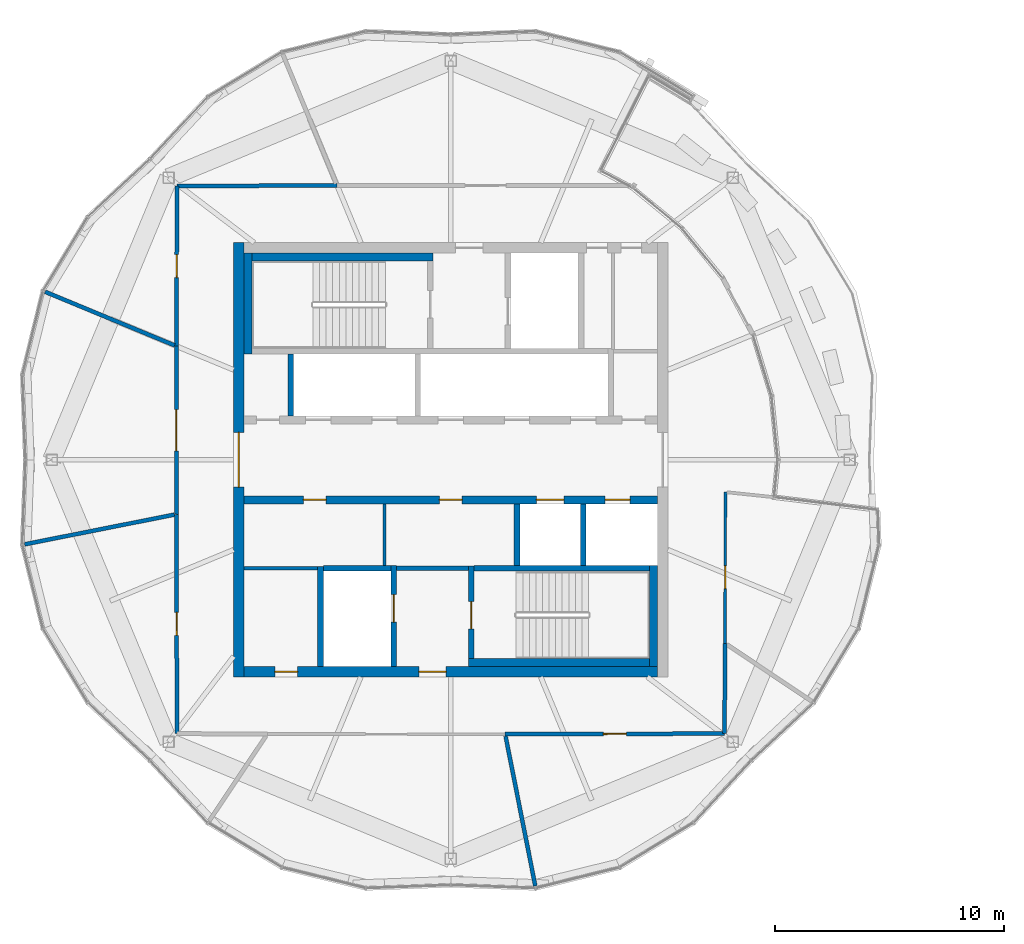
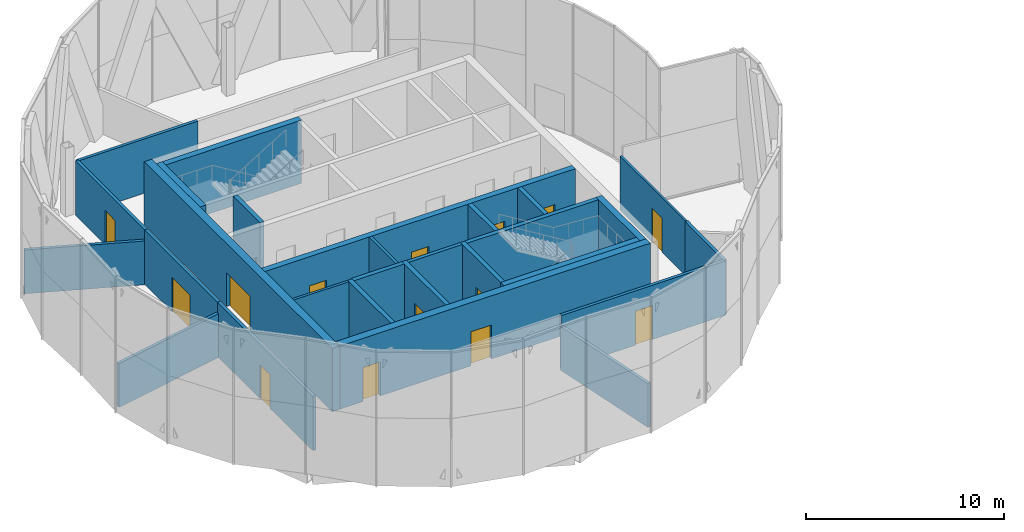
# One storey, part 16 of 24: 28 walls, 14 doors, 14 openings.
"""IFC4 building model written with IfcOpenShell, lengths in metres."""

from ifc_helpers import new_model, si_unit, direction, frame, frame_2d, origin, place, context, subcontext, project, spatial, rectangle, extrude, material, layer, layer_set, type_object, element, fill, save


model = new_model("IFC4")

# Units and contexts
model_context = context("Model", 3, precision=1e-05, world=origin(), true_north=direction((0.0, 1.0)))
body_context = subcontext(model_context, "Body", "Model", "MODEL_VIEW")
ifc_project = project(units=[si_unit("LENGTHUNIT", "METRE"), si_unit("AREAUNIT", "SQUARE_METRE"), si_unit("VOLUMEUNIT", "CUBIC_METRE"), si_unit("PLANEANGLEUNIT", "RADIAN"), si_unit("MASSUNIT", "GRAM", prefix="KILO")], contexts=[model_context])

# Site, building, storey
site_placement = place(None, origin())
site = spatial("IfcSite", under=ifc_project, at=site_placement, CompositionType="ELEMENT")
building_placement = place(site_placement, origin())
building = spatial("IfcBuilding", under=site, at=building_placement, Name="Ogive Gate Towers", CompositionType="ELEMENT")
storey_placement = place(building_placement, frame((0.0, 0.0, 277.199951171875)))
storey = spatial("IfcBuildingStorey", under=building, at=storey_placement, Name="L65", CompositionType="ELEMENT", Elevation=277.199951171875)

# Walls
ifc_material_1 = material(Name="Gypsum board acoustic partition")
ifc_layer_1 = layer(ifc_material_1, 0.175048828125)
ifc_layer_set_1 = layer_set([ifc_layer_1], Name="Acoustic partition 175")
wall_type_1 = type_object("IfcWallType", Name="Acoustic partition 175", PredefinedType="PARTITIONING", material=ifc_layer_set_1)
wall_1_placement = place(storey_placement, frame((-53.747802734375, 7.351318359375, 0.0), z_axis=(0.0, 0.0, 1.0), x_axis=(0.923879494329, -0.382683524544, 0.0)))
element("IfcWall", 1, at=wall_1_placement, inside=storey, type_object=wall_type_1, Name="Partition T1-L65-003", PredefinedType="PARTITIONING", context=body_context, shape_type="SweptSolid", body=[
    extrude(rectangle(XDim=6.131591796875, YDim=0.175048828125, at=frame_2d((3.06591796875, 0.0))), origin(), (0.0, 0.0, 1.0), 2.699951171875),
])
for number, where, z_axis, x_axis, name in (
    (2, (-54.64599609375, -3.69921875, 0.0), (0.0, 0.0, 1.0), (0.980887249702, 0.19457698572, 0.0), "Partition T1-L65-004"),
    (3, (-32.30078125, -18.64599609375, 0.0), (0.0, 0.0, 1.0), (-0.19457698572, 0.980887249702, 0.0), "Partition T1-L65-006"),
):
    element("IfcWall", number, at=place(storey_placement, frame(where, z_axis=z_axis, x_axis=x_axis)), inside=storey, type_object=wall_type_1, Name=name, PredefinedType="PARTITIONING", context=body_context, shape_type="SweptSolid", body=[
        extrude(rectangle(XDim=6.681396484375, YDim=0.175048828125, at=frame_2d((3.3408203125, 0.0))), origin(), (0.0, 0.0, 1.0), 2.699951171875),
    ])

# Wall, opening, door
wall_2_placement = place(storey_placement, frame((-24.02001953125, -11.97998046875, 0.0), z_axis=(0.0, 0.0, 1.0), x_axis=(-0.999996156312, -0.002772609087, 0.0)))
wall_2 = element("IfcWall", 4, at=wall_2_placement, inside=storey, type_object=wall_type_1, Name="Partition T1-L65-010", PredefinedType="PARTITIONING", context=body_context, shape_type="SweptSolid", body=[
    extrude(rectangle(XDim=9.597900390625, YDim=0.175048828125, at=frame_2d((4.798828125, 0.0))), origin(), (0.0, 0.0, 1.0), 3.35009765625),
])
opening_1_placement = place(wall_2_placement, frame((4.299072265625, 0.0, 0.0)))
opening_1 = element("IfcOpeningElement", 5, at=opening_1_placement, cuts=wall_2, Name="Opening T1-L65-D02", PredefinedType="OPENING", context=body_context, shape_type="SweptSolid", body=[
    extrude(rectangle(XDim=1.0, YDim=2.10009765625, at=frame_2d((0.5, 1.050048828125))), frame((0.0, 0.09765625, 0.0), z_axis=(0.0, -1.0, 0.0), x_axis=(1.0, 0.0, 0.0)), (0.0, 0.0, 1.0), 0.195068359375),
])
ifc_material_2 = material(Name="Timber door", Category="wood")
door_type_1 = type_object("IfcDoorType", Name="Door 1000", OperationType="NOTDEFINED", PredefinedType="DOOR", material=ifc_material_2)
door_1_placement = place(opening_1_placement, origin())
door_1 = element("IfcDoor", 6, at=door_1_placement, inside=storey, type_object=door_type_1, Name="Door T1-L65-D02", OperationType="SINGLE_SWING_RIGHT", OverallHeight=2.10009765625, OverallWidth=1.0, PredefinedType="DOOR", context=body_context, shape_type="SweptSolid", body=[
    extrude(rectangle(XDim=1.0, YDim=2.10009765625, at=frame_2d((0.5, 1.050048828125))), frame((0.0, 0.02490234375, 0.0), z_axis=(0.0, -1.0, 0.0), x_axis=(1.0, 0.0, 0.0)), (0.0, 0.0, 1.0), 0.050048828125),
])
fill(opening_1, door_1)

# Wall
wall_3_placement = place(storey_placement, frame((-23.9970703125, -8.02880859375, 0.0), z_axis=(0.0, 0.0, 1.0), x_axis=(-0.005808107667, -0.9999831328, 0.0)))
element("IfcWall", 7, at=wall_3_placement, inside=storey, type_object=wall_type_1, Name="Partition T1-L65-011", PredefinedType="PARTITIONING", context=body_context, shape_type="SweptSolid", body=[
    extrude(rectangle(XDim=3.951171875, YDim=0.175048828125, at=frame_2d((1.9755859375, 0.0))), origin(), (0.0, 0.0, 1.0), 3.35009765625),
])

# Wall, opening, door
wall_4_placement = place(storey_placement, frame((-47.97998046875, -11.97998046875, 0.0), z_axis=(0.0, 0.0, 1.0), x_axis=(-0.002772609087, 0.999996156312, 0.0)))
wall_4 = element("IfcWall", 8, at=wall_4_placement, inside=storey, type_object=wall_type_1, Name="Partition T1-L65-013", PredefinedType="PARTITIONING", context=body_context, shape_type="SweptSolid", body=[
    extrude(rectangle(XDim=9.597900390625, YDim=0.175048828125, at=frame_2d((4.798828125, 0.0))), origin(), (0.0, 0.0, 1.0), 3.35009765625),
])
opening_2_placement = place(wall_4_placement, frame((4.299072265625, 0.0, 0.0)))
opening_2 = element("IfcOpeningElement", 9, at=opening_2_placement, cuts=wall_4, Name="Opening T1-L65-D04", PredefinedType="OPENING", context=body_context, shape_type="SweptSolid", body=[
    extrude(rectangle(XDim=1.0, YDim=2.10009765625, at=frame_2d((0.5, 1.050048828125))), frame((0.0, 0.09765625, 0.0), z_axis=(0.0, -1.0, 0.0), x_axis=(1.0, 0.0, 0.0)), (0.0, 0.0, 1.0), 0.195068359375),
])
door_2_placement = place(opening_2_placement, origin())
door_2 = element("IfcDoor", 10, at=door_2_placement, inside=storey, type_object=door_type_1, Name="Door T1-L65-D04", OperationType="SINGLE_SWING_LEFT", OverallHeight=2.10009765625, OverallWidth=1.0, PredefinedType="DOOR", context=body_context, shape_type="SweptSolid", body=[
    extrude(rectangle(XDim=1.0, YDim=2.10009765625, at=frame_2d((0.5, 1.050048828125))), frame((0.0, 0.02490234375, 0.0), z_axis=(0.0, -1.0, 0.0), x_axis=(1.0, 0.0, 0.0)), (0.0, 0.0, 1.0), 0.050048828125),
])
fill(opening_2, door_2)

wall_5_placement = place(storey_placement, frame((-48.006591796875, -2.382080078125, 0.0), z_axis=(0.0, 0.0, 1.0), x_axis=(0.000597609455, 0.999999821431, 0.0)))
wall_5 = element("IfcWall", 11, at=wall_5_placement, inside=storey, type_object=wall_type_1, Name="Partition T1-L65-015", PredefinedType="PARTITIONING", context=body_context, shape_type="SweptSolid", body=[
    extrude(rectangle(XDim=7.353515625, YDim=0.175048828125, at=frame_2d((3.6767578125, 0.0))), origin(), (0.0, 0.0, 1.0), 3.35009765625),
])
opening_3_placement = place(wall_5_placement, frame((2.777099609375, 0.0, 0.0)))
opening_3 = element("IfcOpeningElement", 12, at=opening_3_placement, cuts=wall_5, Name="Opening T1-L65-D05", PredefinedType="OPENING", context=body_context, shape_type="SweptSolid", body=[
    extrude(rectangle(XDim=1.800048828125, YDim=2.10009765625, at=frame_2d((0.89990234375, 1.050048828125))), frame((0.0, 0.09765625, 0.0), z_axis=(0.0, -1.0, 0.0), x_axis=(1.0, 0.0, 0.0)), (0.0, 0.0, 1.0), 0.195068359375),
])
door_type_2 = type_object("IfcDoorType", Name="Door pair 1800", OperationType="NOTDEFINED", PredefinedType="DOOR", material=ifc_material_2)
door_3_placement = place(opening_3_placement, origin())
door_3 = element("IfcDoor", 13, at=door_3_placement, inside=storey, type_object=door_type_2, Name="Door T1-L65-D05", OperationType="DOUBLE_DOOR_DOUBLE_SWING", OverallHeight=2.10009765625, OverallWidth=1.800048828125, PredefinedType="DOOR", context=body_context, shape_type="SweptSolid", body=[
    extrude(rectangle(XDim=1.800048828125, YDim=2.10009765625, at=frame_2d((0.89990234375, 1.050048828125))), frame((0.0, 0.02490234375, 0.0), z_axis=(0.0, -1.0, 0.0), x_axis=(1.0, 0.0, 0.0)), (0.0, 0.0, 1.0), 0.050048828125),
])
fill(opening_3, door_3)

wall_6_placement = place(storey_placement, frame((-48.002197265625, 4.971435546875, 0.0), z_axis=(0.0, 0.0, 1.0), x_axis=(0.00316994262, 0.999994975719, 0.0)))
wall_6 = element("IfcWall", 14, at=wall_6_placement, inside=storey, type_object=wall_type_1, Name="Partition T1-L65-016", PredefinedType="PARTITIONING", context=body_context, shape_type="SweptSolid", body=[
    extrude(rectangle(XDim=7.008544921875, YDim=0.175048828125, at=frame_2d((3.50439453125, 0.0))), origin(), (0.0, 0.0, 1.0), 3.35009765625),
])
opening_4_placement = place(wall_6_placement, frame((3.00390625, 0.0, 0.0)))
opening_4 = element("IfcOpeningElement", 15, at=opening_4_placement, cuts=wall_6, Name="Opening T1-L65-D06", PredefinedType="OPENING", context=body_context, shape_type="SweptSolid", body=[
    extrude(rectangle(XDim=1.0, YDim=2.10009765625, at=frame_2d((0.5, 1.050048828125))), frame((0.0, 0.09765625, 0.0), z_axis=(0.0, -1.0, 0.0), x_axis=(1.0, 0.0, 0.0)), (0.0, 0.0, 1.0), 0.195068359375),
])
door_4_placement = place(opening_4_placement, origin())
door_4 = element("IfcDoor", 16, at=door_4_placement, inside=storey, type_object=door_type_1, Name="Door T1-L65-D06", OperationType="SINGLE_SWING_RIGHT", OverallHeight=2.10009765625, OverallWidth=1.0, PredefinedType="DOOR", context=body_context, shape_type="SweptSolid", body=[
    extrude(rectangle(XDim=1.0, YDim=2.10009765625, at=frame_2d((0.5, 1.050048828125))), frame((0.0, 0.02490234375, 0.0), z_axis=(0.0, -1.0, 0.0), x_axis=(1.0, 0.0, 0.0)), (0.0, 0.0, 1.0), 0.050048828125),
])
fill(opening_4, door_4)

# Walls
wall_7_placement = place(storey_placement, frame((-47.97998046875, 11.97998046875, 0.0), z_axis=(0.0, 0.0, 1.0), x_axis=(0.999994975719, 0.00316994262, 0.0)))
element("IfcWall", 17, at=wall_7_placement, inside=storey, type_object=wall_type_1, Name="Partition T1-L65-017", PredefinedType="PARTITIONING", context=body_context, shape_type="SweptSolid", body=[
    extrude(rectangle(XDim=7.008544921875, YDim=0.175048828125, at=frame_2d((3.50439453125, 0.0))), origin(), (0.0, 0.0, 1.0), 3.35009765625),
])
ifc_material_3 = material(Name="Masonry blockwork", Category="masonry")
ifc_layer_2 = layer(ifc_material_3, 0.199951171875)
ifc_layer_set_2 = layer_set([ifc_layer_2], Name="Blockwork wall 200 mm")
wall_type_2 = type_object("IfcWallType", Name="Blockwork wall 200 mm", PredefinedType="PARTITIONING", material=ifc_layer_set_2)
wall_8_placement = place(storey_placement, frame((-38.375, -4.75, 0.0), z_axis=(0.0, 0.0, 1.0), x_axis=(1.0, 0.0, 0.0)))
element("IfcWall", 18, at=wall_8_placement, inside=storey, type_object=wall_type_2, Name="T1 L65 Blockwork wall 200 mm", PredefinedType="PARTITIONING", context=body_context, shape_type="SweptSolid", body=[
    extrude(rectangle(XDim=3.14990234375, YDim=0.199951171875, at=frame_2d((1.574951171875, 0.0))), origin(), (0.0, 0.0, 1.0), 3.900146484375),
])

# Wall, openings, doors
ifc_material_4 = material(Name="Concrete C60/75", Category="concrete")
ifc_layer_3 = layer(ifc_material_4, 0.449951171875)
ifc_layer_set_3 = layer_set([ifc_layer_3], Name="Core wall 450 mm")
wall_type_3 = type_object("IfcWallType", Name="Core wall 450 mm", PredefinedType="SHEAR", material=ifc_layer_set_3)
wall_9_placement = place(storey_placement, frame((-45.050048828125, -9.27490234375, 0.0), z_axis=(0.0, 0.0, 1.0), x_axis=(1.0, 0.0, 0.0)))
wall_9 = element("IfcWall", 19, at=wall_9_placement, inside=storey, type_object=wall_type_3, Name="T1 L65 Core wall 450 mm", PredefinedType="SHEAR", context=body_context, shape_type="SweptSolid", body=[
    extrude(rectangle(XDim=18.10009765625, YDim=0.449951171875, at=frame_2d((9.050048828125, 0.0))), origin(), (0.0, 0.0, 1.0), 3.900146484375),
])
opening_5_placement = place(wall_9_placement, frame((7.64990234375, 0.0, 0.0)))
opening_5 = element("IfcOpeningElement", 20, at=opening_5_placement, cuts=wall_9, Name="Opening KD-T1-L65-19", PredefinedType="OPENING", context=body_context, shape_type="SweptSolid", body=[
    extrude(rectangle(XDim=1.199951171875, YDim=2.10009765625, at=frame_2d((0.60009765625, 1.050048828125))), frame((0.0, 0.23486328125, 0.0), z_axis=(0.0, -1.0, 0.0), x_axis=(1.0, 0.0, 0.0)), (0.0, 0.0, 1.0), 0.469970703125),
])
opening_6_placement = place(wall_9_placement, frame((1.35009765625, 0.0, 0.0)))
opening_6 = element("IfcOpeningElement", 21, at=opening_6_placement, cuts=wall_9, Name="Opening KD-T1-L65-22", PredefinedType="OPENING", context=body_context, shape_type="SweptSolid", body=[
    extrude(rectangle(XDim=1.0, YDim=2.10009765625, at=frame_2d((0.5, 1.050048828125))), frame((0.0, 0.23486328125, 0.0), z_axis=(0.0, -1.0, 0.0), x_axis=(1.0, 0.0, 0.0)), (0.0, 0.0, 1.0), 0.469970703125),
])
door_type_3 = type_object("IfcDoorType", Name="Accessible WC door 1000 x 2100", OperationType="NOTDEFINED", PredefinedType="DOOR", material=ifc_material_2)
door_5_placement = place(opening_6_placement, origin())
door_5 = element("IfcDoor", 22, at=door_5_placement, inside=storey, type_object=door_type_3, Name="T1 L65 Core door", OperationType="SINGLE_SWING_LEFT", OverallHeight=2.10009765625, OverallWidth=1.0, PredefinedType="DOOR", context=body_context, shape_type="SweptSolid", body=[
    extrude(rectangle(XDim=1.0, YDim=2.10009765625, at=frame_2d((0.5, 1.050048828125))), frame((0.0, 0.02490234375, 0.0), z_axis=(0.0, -1.0, 0.0), x_axis=(1.0, 0.0, 0.0)), (0.0, 0.0, 1.0), 0.050048828125),
])
fill(opening_6, door_5)
ifc_material_5 = material(Name="Steel fire door", Category="steel")
door_type_4 = type_object("IfcDoorType", Name="Core door FD60S 1200 x 2100", OperationType="NOTDEFINED", PredefinedType="DOOR", material=ifc_material_5)
door_6_placement = place(opening_5_placement, origin())
door_6 = element("IfcDoor", 23, at=door_6_placement, inside=storey, type_object=door_type_4, Name="T1 L65 Fire-fighting lobby door", OperationType="SINGLE_SWING_RIGHT", OverallHeight=2.10009765625, OverallWidth=1.199951171875, PredefinedType="DOOR", context=body_context, shape_type="SweptSolid", body=[
    extrude(rectangle(XDim=1.199951171875, YDim=2.10009765625, at=frame_2d((0.60009765625, 1.050048828125))), frame((0.0, 0.02490234375, 0.0), z_axis=(0.0, -1.0, 0.0), x_axis=(1.0, 0.0, 0.0)), (0.0, 0.0, 1.0), 0.050048828125),
])
fill(opening_5, door_6)

# Wall, opening, door
wall_10_placement = place(storey_placement, frame((-45.27490234375, -9.5, 0.0), z_axis=(0.0, 0.0, 1.0), x_axis=(0.0, 1.0, 0.0)))
wall_10 = element("IfcWall", 24, at=wall_10_placement, inside=storey, type_object=wall_type_3, Name="T1 L65 Core wall 450 mm", PredefinedType="SHEAR", context=body_context, shape_type="SweptSolid", body=[
    extrude(rectangle(XDim=19.0, YDim=0.449951171875, at=frame_2d((9.5, 0.0))), origin(), (0.0, 0.0, 1.0), 3.900146484375),
])
opening_7_placement = place(wall_10_placement, frame((8.300048828125, 0.0, 0.0)))
opening_7 = element("IfcOpeningElement", 25, at=opening_7_placement, cuts=wall_10, Name="Opening KD-T1-L65-01", PredefinedType="OPENING", context=body_context, shape_type="SweptSolid", body=[
    extrude(rectangle(XDim=2.39990234375, YDim=2.10009765625, at=frame_2d((1.199951171875, 1.050048828125))), frame((0.0, 0.23486328125, 0.0), z_axis=(0.0, -1.0, 0.0), x_axis=(1.0, 0.0, 0.0)), (0.0, 0.0, 1.0), 0.469970703125),
])
door_type_5 = type_object("IfcDoorType", Name="Core double door FD60S 2400 x 2100", OperationType="DOUBLE_DOOR_SINGLE_SWING", PredefinedType="DOOR", material=ifc_material_5)
door_7_placement = place(opening_7_placement, origin())
door_7 = element("IfcDoor", 26, at=door_7_placement, inside=storey, type_object=door_type_5, Name="T1 L65 Core door double", OperationType="DOUBLE_DOOR_SINGLE_SWING", OverallHeight=2.10009765625, OverallWidth=2.39990234375, PredefinedType="DOOR", context=body_context, shape_type="SweptSolid", body=[
    extrude(rectangle(XDim=2.39990234375, YDim=2.10009765625, at=frame_2d((1.199951171875, 1.050048828125))), frame((0.0, 0.02490234375, 0.0), z_axis=(0.0, -1.0, 0.0), x_axis=(1.0, 0.0, 0.0)), (0.0, 0.0, 1.0), 0.050048828125),
])
fill(opening_7, door_7)

ifc_material_6 = material(Name="Gypsum board partition")
ifc_layer_4 = layer(ifc_material_6, 0.125)
ifc_layer_set_4 = layer_set([ifc_layer_4], Name="Partition 125")
wall_type_4 = type_object("IfcWallType", Name="Partition 125", PredefinedType="PARTITIONING", material=ifc_layer_set_4)
wall_11_placement = place(storey_placement, frame((-23.984375, -1.41064453125, 0.0), z_axis=(0.0, 0.0, 1.0), x_axis=(-0.001918249385, -0.999998160158, 0.0)))
wall_11 = element("IfcWall", 27, at=wall_11_placement, inside=storey, type_object=wall_type_4, Name="Partition T1-L65-009", PredefinedType="PARTITIONING", context=body_context, shape_type="SweptSolid", body=[
    extrude(rectangle(XDim=6.6181640625, YDim=0.125, at=frame_2d((3.30908203125, 0.0))), origin(), (0.0, 0.0, 1.0), 3.35009765625),
])
opening_8_placement = place(wall_11_placement, frame((3.22802734375, 0.0, 0.0)))
opening_8 = element("IfcOpeningElement", 28, at=opening_8_placement, cuts=wall_11, Name="Opening T1-L65-D01", PredefinedType="OPENING", context=body_context, shape_type="SweptSolid", body=[
    extrude(rectangle(XDim=1.0, YDim=2.10009765625, at=frame_2d((0.5, 1.050048828125))), frame((0.0, 0.072509765625, 0.0), z_axis=(0.0, -1.0, 0.0), x_axis=(1.0, 0.0, 0.0)), (0.0, 0.0, 1.0), 0.14501953125),
])
door_8_placement = place(opening_8_placement, origin())
door_8 = element("IfcDoor", 29, at=door_8_placement, inside=storey, type_object=door_type_1, Name="Door T1-L65-D01", OperationType="SINGLE_SWING_RIGHT", OverallHeight=2.10009765625, OverallWidth=1.0, PredefinedType="DOOR", context=body_context, shape_type="SweptSolid", body=[
    extrude(rectangle(XDim=1.0, YDim=2.10009765625, at=frame_2d((0.5, 1.050048828125))), frame((0.0, 0.02490234375, 0.0), z_axis=(0.0, -1.0, 0.0), x_axis=(1.0, 0.0, 0.0)), (0.0, 0.0, 1.0), 0.050048828125),
])
fill(opening_8, door_8)

# Walls
ifc_layer_5 = layer(ifc_material_6, 0.14990234375)
ifc_layer_set_5 = layer_set([ifc_layer_5], Name="Room partition 150 mm")
wall_type_5 = type_object("IfcWallType", Name="Room partition 150 mm", PredefinedType="PARTITIONING", material=ifc_layer_set_5)
wall_12_placement = place(storey_placement, frame((-45.050048828125, -4.75, 0.0), z_axis=(0.0, 0.0, 1.0), x_axis=(1.0, 0.0, 0.0)))
element("IfcWall", 30, at=wall_12_placement, inside=storey, type_object=wall_type_5, Name="T1 L65 Room partition 150 mm", PredefinedType="PARTITIONING", context=body_context, shape_type="SweptSolid", body=[
    extrude(rectangle(XDim=3.22509765625, YDim=0.14990234375, at=frame_2d((1.612548828125, 0.0))), origin(), (0.0, 0.0, 1.0), 3.900146484375),
])
wall_13_placement = place(storey_placement, frame((-38.89990234375, -4.625, 0.0), z_axis=(0.0, 0.0, 1.0), x_axis=(0.0, 1.0, 0.0)))
element("IfcWall", 31, at=wall_13_placement, inside=storey, type_object=wall_type_5, Name="T1 L65 Room partition 150 mm", PredefinedType="PARTITIONING", context=body_context, shape_type="SweptSolid", body=[
    extrude(rectangle(XDim=2.699951171875, YDim=0.14990234375, at=frame_2d((1.35009765625, 0.0))), origin(), (0.0, 0.0, 1.0), 3.900146484375),
])
ifc_layer_6 = layer(ifc_material_4, 0.25)
ifc_layer_set_6 = layer_set([ifc_layer_6], Name="Shaft wall 250 mm")
wall_type_6 = type_object("IfcWallType", Name="Shaft wall 250 mm", PredefinedType="SHEAR", material=ifc_layer_set_6)
wall_14_placement = place(storey_placement, frame((-41.574951171875, -4.75, 0.0), z_axis=(0.0, 0.0, 1.0), x_axis=(1.0, 0.0, 0.0)))
element("IfcWall", 32, at=wall_14_placement, inside=storey, type_object=wall_type_6, Name="T1 L65 Shaft wall 250 mm", PredefinedType="SHEAR", context=body_context, shape_type="SweptSolid", body=[
    extrude(rectangle(XDim=2.949951171875, YDim=0.25, at=frame_2d((1.47509765625, 0.0))), origin(), (0.0, 0.0, 1.0), 3.900146484375),
])
wall_15_placement = place(storey_placement, frame((-34.97509765625, -4.75, 0.0), z_axis=(0.0, 0.0, 1.0), x_axis=(1.0, 0.0, 0.0)))
element("IfcWall", 33, at=wall_15_placement, inside=storey, type_object=wall_type_6, Name="T1 L65 Shaft wall 250 mm", PredefinedType="SHEAR", context=body_context, shape_type="SweptSolid", body=[
    extrude(rectangle(XDim=7.675048828125, YDim=0.25, at=frame_2d((3.83740234375, 0.0))), origin(), (0.0, 0.0, 1.0), 3.900146484375),
])
wall_16_placement = place(storey_placement, frame((-43.0, 1.925048828125, 0.0), z_axis=(0.0, 0.0, 1.0), x_axis=(0.0, 1.0, 0.0)))
element("IfcWall", 34, at=wall_16_placement, inside=storey, type_object=wall_type_6, Name="T1 L65 Shaft wall 250 mm", PredefinedType="SHEAR", context=body_context, shape_type="SweptSolid", body=[
    extrude(rectangle(XDim=2.699951171875, YDim=0.25, at=frame_2d((1.35009765625, 0.0))), origin(), (0.0, 0.0, 1.0), 3.900146484375),
])
wall_17_placement = place(storey_placement, frame((-41.699951171875, -9.050048828125, 0.0), z_axis=(0.0, 0.0, 1.0), x_axis=(0.0, 1.0, 0.0)))
element("IfcWall", 35, at=wall_17_placement, inside=storey, type_object=wall_type_6, Name="T1 L65 Shaft wall 250 mm", PredefinedType="SHEAR", context=body_context, shape_type="SweptSolid", body=[
    extrude(rectangle(XDim=4.375, YDim=0.25, at=frame_2d((2.1875, 0.0))), origin(), (0.0, 0.0, 1.0), 3.900146484375),
])

# Wall, opening, door
wall_18_placement = place(storey_placement, frame((-38.5, -9.050048828125, 0.0), z_axis=(0.0, 0.0, 1.0), x_axis=(0.0, 1.0, 0.0)))
wall_18 = element("IfcWall", 36, at=wall_18_placement, inside=storey, type_object=wall_type_6, Name="T1 L65 Shaft wall 250 mm", PredefinedType="SHEAR", context=body_context, shape_type="SweptSolid", body=[
    extrude(rectangle(XDim=4.425048828125, YDim=0.25, at=frame_2d((2.21240234375, 0.0))), origin(), (0.0, 0.0, 1.0), 3.900146484375),
])
opening_9_placement = place(wall_18_placement, frame((1.949951171875, 0.0, 0.0)))
opening_9 = element("IfcOpeningElement", 37, at=opening_9_placement, cuts=wall_18, Name="Opening LD-T1-L65-13", PredefinedType="OPENING", context=body_context, shape_type="SweptSolid", body=[
    extrude(rectangle(XDim=1.199951171875, YDim=2.10009765625, at=frame_2d((0.60009765625, 1.050048828125))), frame((0.0, 0.135009765625, 0.0), z_axis=(0.0, -1.0, 0.0), x_axis=(1.0, 0.0, 0.0)), (0.0, 0.0, 1.0), 0.27001953125),
])
ifc_material_7 = material(Name="Stainless steel landing door", Category="steel")
door_type_6 = type_object("IfcDoorType", Name="Landing door 1200 x 2100", OperationType="SLIDING_TO_LEFT", PredefinedType="DOOR", material=ifc_material_7)
door_9_placement = place(opening_9_placement, origin())
door_9 = element("IfcDoor", 38, at=door_9_placement, inside=storey, type_object=door_type_6, Name="T1 L65 Lift landing door FF2", OperationType="SLIDING_TO_LEFT", OverallHeight=2.10009765625, OverallWidth=1.199951171875, PredefinedType="DOOR", context=body_context, shape_type="SweptSolid", body=[
    extrude(rectangle(XDim=1.199951171875, YDim=2.10009765625, at=frame_2d((0.60009765625, 1.050048828125))), frame((0.0, 0.02490234375, 0.0), z_axis=(0.0, -1.0, 0.0), x_axis=(1.0, 0.0, 0.0)), (0.0, 0.0, 1.0), 0.050048828125),
])
fill(opening_9, door_9)

wall_19_placement = place(storey_placement, frame((-35.10009765625, -8.699951171875, 0.0), z_axis=(0.0, 0.0, 1.0), x_axis=(0.0, 1.0, 0.0)))
wall_19 = element("IfcWall", 39, at=wall_19_placement, inside=storey, type_object=wall_type_6, Name="T1 L65 Shaft wall 250 mm", PredefinedType="SHEAR", context=body_context, shape_type="SweptSolid", body=[
    extrude(rectangle(XDim=4.050048828125, YDim=0.25, at=frame_2d((2.02490234375, 0.0))), origin(), (0.0, 0.0, 1.0), 3.900146484375),
])
opening_10_placement = place(wall_19_placement, frame((1.300048828125, 0.0, 0.0)))
opening_10 = element("IfcOpeningElement", 40, at=opening_10_placement, cuts=wall_19, Name="Opening KD-T1-L65-17", PredefinedType="OPENING", context=body_context, shape_type="SweptSolid", body=[
    extrude(rectangle(XDim=1.199951171875, YDim=2.10009765625, at=frame_2d((0.60009765625, 1.050048828125))), frame((0.0, 0.135009765625, 0.0), z_axis=(0.0, -1.0, 0.0), x_axis=(1.0, 0.0, 0.0)), (0.0, 0.0, 1.0), 0.27001953125),
])
door_10_placement = place(opening_10_placement, origin())
door_10 = element("IfcDoor", 41, at=door_10_placement, inside=storey, type_object=door_type_4, Name="T1 L65 Stair door", OperationType="SINGLE_SWING_RIGHT", OverallHeight=2.10009765625, OverallWidth=1.199951171875, PredefinedType="DOOR", context=body_context, shape_type="SweptSolid", body=[
    extrude(rectangle(XDim=1.199951171875, YDim=2.10009765625, at=frame_2d((0.60009765625, 1.050048828125))), frame((0.0, 0.02490234375, 0.0), z_axis=(0.0, -1.0, 0.0), x_axis=(1.0, 0.0, 0.0)), (0.0, 0.0, 1.0), 0.050048828125),
])
fill(opening_10, door_10)

# Walls
for number, where, z_axis, x_axis, name in (
    (42, (-33.10009765625, -4.625, 0.0), (0.0, 0.0, 1.0), (0.0, 1.0, 0.0), "T1 L65 Shaft wall 250 mm"),
    (43, (-30.199951171875, -4.625, 0.0), (0.0, 0.0, 1.0), (0.0, 1.0, 0.0), "T1 L65 Shaft wall 250 mm"),
):
    element("IfcWall", number, at=place(storey_placement, frame(where, z_axis=z_axis, x_axis=x_axis)), inside=storey, type_object=wall_type_6, Name=name, PredefinedType="SHEAR", context=body_context, shape_type="SweptSolid", body=[
        extrude(rectangle(XDim=2.699951171875, YDim=0.25, at=frame_2d((1.35009765625, 0.0))), origin(), (0.0, 0.0, 1.0), 3.900146484375),
    ])

# Wall, openings, doors
ifc_layer_7 = layer(ifc_material_4, 0.35009765625)
ifc_layer_set_7 = layer_set([ifc_layer_7], Name="Spine wall 350 mm")
wall_type_7 = type_object("IfcWallType", Name="Spine wall 350 mm", PredefinedType="SHEAR", material=ifc_layer_set_7)
wall_20_placement = place(storey_placement, frame((-45.050048828125, -1.75, 0.0), z_axis=(0.0, 0.0, 1.0), x_axis=(1.0, 0.0, 0.0)))
wall_20 = element("IfcWall", 44, at=wall_20_placement, inside=storey, type_object=wall_type_7, Name="T1 L65 Spine wall 350 mm", PredefinedType="SHEAR", context=body_context, shape_type="SweptSolid", body=[
    extrude(rectangle(XDim=18.10009765625, YDim=0.35009765625, at=frame_2d((9.050048828125, 0.0))), origin(), (0.0, 0.0, 1.0), 3.900146484375),
])
opening_11_placement = place(wall_20_placement, frame((12.800048828125, 0.0, 0.0)))
opening_11 = element("IfcOpeningElement", 45, at=opening_11_placement, cuts=wall_20, Name="Opening LD-T1-L65-10", PredefinedType="OPENING", context=body_context, shape_type="SweptSolid", body=[
    extrude(rectangle(XDim=1.199951171875, YDim=2.10009765625, at=frame_2d((0.60009765625, 1.050048828125))), frame((0.0, 0.18505859375, 0.0), z_axis=(0.0, -1.0, 0.0), x_axis=(1.0, 0.0, 0.0)), (0.0, 0.0, 1.0), 0.3701171875),
])
opening_12_placement = place(wall_20_placement, frame((15.800048828125, 0.0, 0.0)))
opening_12 = element("IfcOpeningElement", 46, at=opening_12_placement, cuts=wall_20, Name="Opening LD-T1-L65-11", PredefinedType="OPENING", context=body_context, shape_type="SweptSolid", body=[
    extrude(rectangle(XDim=1.10009765625, YDim=2.10009765625, at=frame_2d((0.550048828125, 1.050048828125))), frame((0.0, 0.18505859375, 0.0), z_axis=(0.0, -1.0, 0.0), x_axis=(1.0, 0.0, 0.0)), (0.0, 0.0, 1.0), 0.3701171875),
])
opening_13_placement = place(wall_20_placement, frame((2.60009765625, 0.0, 0.0)))
opening_13 = element("IfcOpeningElement", 47, at=opening_13_placement, cuts=wall_20, Name="Opening KD-T1-L65-14", PredefinedType="OPENING", context=body_context, shape_type="SweptSolid", body=[
    extrude(rectangle(XDim=1.0, YDim=2.10009765625, at=frame_2d((0.5, 1.050048828125))), frame((0.0, 0.18505859375, 0.0), z_axis=(0.0, -1.0, 0.0), x_axis=(1.0, 0.0, 0.0)), (0.0, 0.0, 1.0), 0.3701171875),
])
opening_14_placement = place(wall_20_placement, frame((8.550048828125, 0.0, 0.0)))
opening_14 = element("IfcOpeningElement", 48, at=opening_14_placement, cuts=wall_20, Name="Opening KD-T1-L65-15", PredefinedType="OPENING", context=body_context, shape_type="SweptSolid", body=[
    extrude(rectangle(XDim=1.0, YDim=2.10009765625, at=frame_2d((0.5, 1.050048828125))), frame((0.0, 0.18505859375, 0.0), z_axis=(0.0, -1.0, 0.0), x_axis=(1.0, 0.0, 0.0)), (0.0, 0.0, 1.0), 0.3701171875),
])
door_type_7 = type_object("IfcDoorType", Name="Core door FD60S 1000 x 2100", OperationType="NOTDEFINED", PredefinedType="DOOR", material=ifc_material_5)
door_11_placement = place(opening_13_placement, origin())
door_11 = element("IfcDoor", 49, at=door_11_placement, inside=storey, type_object=door_type_7, Name="T1 L65 Core door", OperationType="SINGLE_SWING_LEFT", OverallHeight=2.10009765625, OverallWidth=1.0, PredefinedType="DOOR", context=body_context, shape_type="SweptSolid", body=[
    extrude(rectangle(XDim=1.0, YDim=2.10009765625, at=frame_2d((0.5, 1.050048828125))), frame((0.0, 0.02490234375, 0.0), z_axis=(0.0, -1.0, 0.0), x_axis=(1.0, 0.0, 0.0)), (0.0, 0.0, 1.0), 0.050048828125),
])
fill(opening_13, door_11)
door_12_placement = place(opening_14_placement, origin())
door_12 = element("IfcDoor", 50, at=door_12_placement, inside=storey, type_object=door_type_7, Name="T1 L65 Core door", OperationType="SINGLE_SWING_RIGHT", OverallHeight=2.10009765625, OverallWidth=1.0, PredefinedType="DOOR", context=body_context, shape_type="SweptSolid", body=[
    extrude(rectangle(XDim=1.0, YDim=2.10009765625, at=frame_2d((0.5, 1.050048828125))), frame((0.0, 0.02490234375, 0.0), z_axis=(0.0, -1.0, 0.0), x_axis=(1.0, 0.0, 0.0)), (0.0, 0.0, 1.0), 0.050048828125),
])
fill(opening_14, door_12)
door_type_8 = type_object("IfcDoorType", Name="Landing door 1100 x 2100", OperationType="SLIDING_TO_LEFT", PredefinedType="DOOR", material=ifc_material_7)
door_13_placement = place(opening_12_placement, origin())
door_13 = element("IfcDoor", 51, at=door_13_placement, inside=storey, type_object=door_type_8, Name="T1 L65 Lift landing door B6", OperationType="SLIDING_TO_LEFT", OverallHeight=2.10009765625, OverallWidth=1.10009765625, PredefinedType="DOOR", context=body_context, shape_type="SweptSolid", body=[
    extrude(rectangle(XDim=1.10009765625, YDim=2.10009765625, at=frame_2d((0.550048828125, 1.050048828125))), frame((0.0, 0.02490234375, 0.0), z_axis=(0.0, -1.0, 0.0), x_axis=(1.0, 0.0, 0.0)), (0.0, 0.0, 1.0), 0.050048828125),
])
fill(opening_12, door_13)
door_14_placement = place(opening_11_placement, origin())
door_14 = element("IfcDoor", 52, at=door_14_placement, inside=storey, type_object=door_type_6, Name="T1 L65 Lift landing door SVC", OperationType="SLIDING_TO_LEFT", OverallHeight=2.10009765625, OverallWidth=1.199951171875, PredefinedType="DOOR", context=body_context, shape_type="SweptSolid", body=[
    extrude(rectangle(XDim=1.199951171875, YDim=2.10009765625, at=frame_2d((0.60009765625, 1.050048828125))), frame((0.0, 0.02490234375, 0.0), z_axis=(0.0, -1.0, 0.0), x_axis=(1.0, 0.0, 0.0)), (0.0, 0.0, 1.0), 0.050048828125),
])
fill(opening_11, door_14)

# Walls
ifc_layer_8 = layer(ifc_material_4, 0.35009765625)
ifc_layer_set_8 = layer_set([ifc_layer_8], Name="Stair wall 350 mm")
wall_type_8 = type_object("IfcWallType", Name="Stair wall 350 mm", PredefinedType="SHEAR", material=ifc_layer_set_8)
for number, where, z_axis, x_axis, name in (
    (53, (-35.22509765625, -8.875, 0.0), (0.0, 0.0, 1.0), (1.0, 0.0, 0.0), "T1 L65 Stair wall 350 mm"),
    (54, (-44.699951171875, 8.875, 0.0), (0.0, 0.0, 1.0), (1.0, 0.0, 0.0), "T1 L65 Stair wall 350 mm"),
):
    element("IfcWall", number, at=place(storey_placement, frame(where, z_axis=z_axis, x_axis=x_axis)), inside=storey, type_object=wall_type_8, Name=name, PredefinedType="SHEAR", context=body_context, shape_type="SweptSolid", body=[
        extrude(rectangle(XDim=7.925048828125, YDim=0.35009765625, at=frame_2d((3.96240234375, 0.0))), origin(), (0.0, 0.0, 1.0), 3.900146484375),
    ])
for number, where, z_axis, x_axis, name in (
    (55, (-44.875, 4.625, 0.0), (0.0, 0.0, 1.0), (0.0, 1.0, 0.0), "T1 L65 Stair wall 350 mm"),
    (56, (-27.125, -9.050048828125, 0.0), (0.0, 0.0, 1.0), (0.0, 1.0, 0.0), "T1 L65 Stair wall 350 mm"),
):
    element("IfcWall", number, at=place(storey_placement, frame(where, z_axis=z_axis, x_axis=x_axis)), inside=storey, type_object=wall_type_8, Name=name, PredefinedType="SHEAR", context=body_context, shape_type="SweptSolid", body=[
        extrude(rectangle(XDim=4.425048828125, YDim=0.35009765625, at=frame_2d((2.21240234375, 0.0))), origin(), (0.0, 0.0, 1.0), 3.900146484375),
    ])

save(model, "model.ifc")
